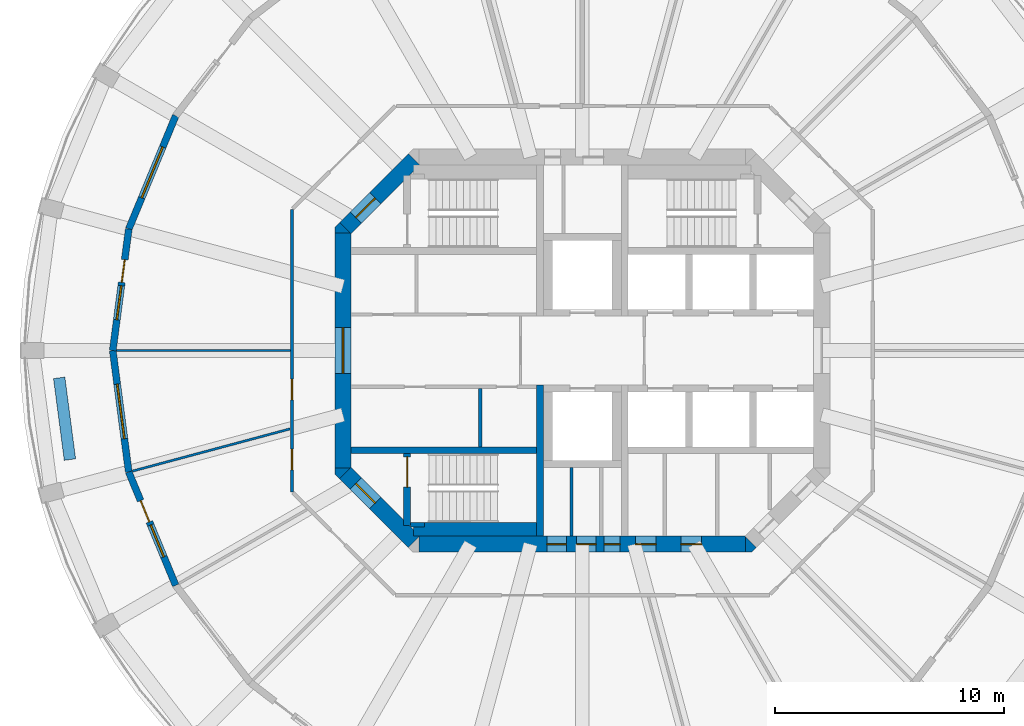
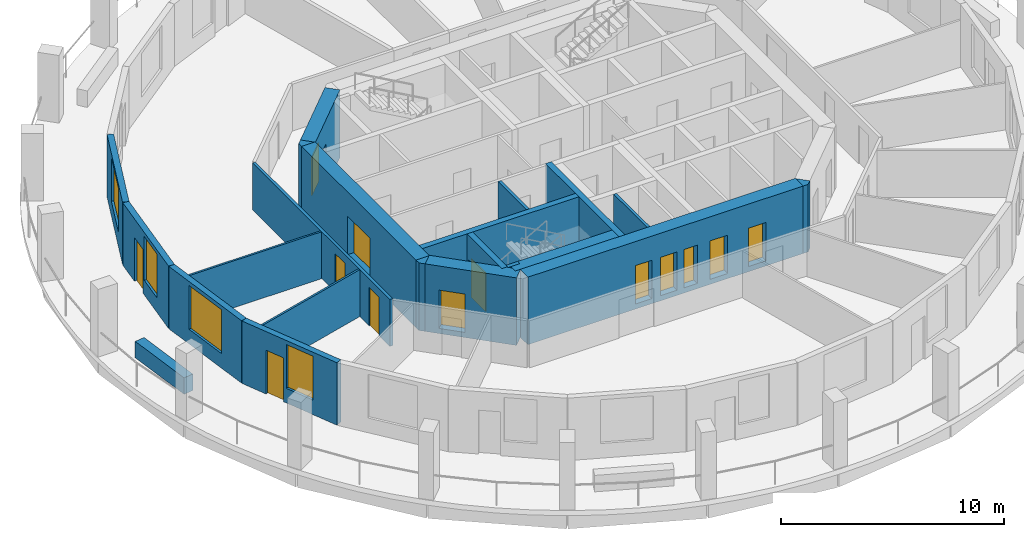
# One storey, part 3 of 9: 22 walls, 13 doors, 4 windows, 17 openings.
"""IFC4 building model written with IfcOpenShell, lengths in metres."""

from ifc_helpers import new_model, si_unit, direction, frame, frame_2d, origin, place, context, subcontext, project, spatial, polyline, rectangle, outline, extrude, material, layer, layer_set, type_object, element, fill, save


model = new_model("IFC4")

# Units and contexts
model_context = context("Model", 3, precision=1e-05, world=origin(), true_north=direction((0.0, 1.0)))
body_context = subcontext(model_context, "Body", "Model", "MODEL_VIEW")
ifc_project = project(units=[si_unit("LENGTHUNIT", "METRE"), si_unit("AREAUNIT", "SQUARE_METRE"), si_unit("VOLUMEUNIT", "CUBIC_METRE"), si_unit("PLANEANGLEUNIT", "RADIAN"), si_unit("MASSUNIT", "GRAM", prefix="KILO")], contexts=[model_context])

# Site, building, storey
site_placement = place(None, origin())
site = spatial("IfcSite", under=ifc_project, at=site_placement, CompositionType="ELEMENT")
building_placement = place(site_placement, origin())
building = spatial("IfcBuilding", under=site, at=building_placement, Name="Torre Triforio", CompositionType="ELEMENT")
storey_placement = place(building_placement, frame((0.0, 0.0, 226.10009765625)))
storey = spatial("IfcBuildingStorey", under=building, at=storey_placement, Name="L51", CompositionType="ELEMENT", Elevation=226.10009765625)

# Wall
ifc_material_1 = material(Name="Concrete C50", Category="concrete")
ifc_layer_1 = layer(ifc_material_1, 0.300048828125)
ifc_layer_set_1 = layer_set([ifc_layer_1], Name="Concrete C50")
wall_type_1 = type_object("IfcWallType", Name="Core wall 300 mm C50 EI 120", PredefinedType="SHEAR", material=ifc_layer_set_1)
wall_1_placement = place(storey_placement, frame((-1.85009765625, -8.10009765625, 0.0), z_axis=(0.0, 0.0, 1.0), x_axis=(0.0, 1.0, 0.0)))
element("IfcWall", 1, at=wall_1_placement, inside=storey, type_object=wall_type_1, Name="Core wall", PredefinedType="SHEAR", context=body_context, shape_type="SweptSolid", body=[
    extrude(rectangle(XDim=6.60009765625, YDim=0.300048828125, at=frame_2d((3.300048828125, 0.0))), origin(), (0.0, 0.0, 1.0), 3.419921875),
])

# Wall, openings, doors
ifc_layer_2 = layer(ifc_material_1, 0.699951171875)
ifc_layer_set_2 = layer_set([ifc_layer_2], Name="Concrete C50")
wall_type_2 = type_object("IfcWallType", Name="Core wall 700 mm C50 EI 120", PredefinedType="SHEAR", material=ifc_layer_set_2)
wall_2_placement = place(storey_placement, frame((-7.1298828125, -8.449951171875, -0.280029296875), z_axis=(0.0, 0.0, 1.0), x_axis=(1.0, 0.0, 0.0)))
wall_2 = element("IfcWall", 2, at=wall_2_placement, inside=storey, type_object=wall_type_2, Name="Core wall", PredefinedType="SHEAR", context=body_context, shape_type="SweptSolid", body=[
    extrude(rectangle(XDim=14.259765625, YDim=0.699951171875, at=frame_2d((7.1298828125, 0.0))), origin(), (0.0, 0.0, 1.0), 3.699951171875),
])
opening_1_placement = place(wall_2_placement, frame((8.080078125, 0.0, 0.280029296875)))
opening_1 = element("IfcOpeningElement", 3, at=opening_1_placement, cuts=wall_2, Name="Opening RISER-S", PredefinedType="OPENING", context=body_context, shape_type="SweptSolid", body=[
    extrude(rectangle(XDim=0.699951171875, YDim=2.10009765625, at=frame_2d((0.35009765625, 1.050048828125))), frame((0.0, 0.35986328125, 0.0), z_axis=(0.0, -1.0, 0.0), x_axis=(1.0, 0.0, 0.0)), (0.0, 0.0, 1.0), 0.719970703125),
])
opening_2_placement = place(wall_2_placement, frame((5.580078125, 0.0, 0.280029296875)))
opening_2 = element("IfcOpeningElement", 4, at=opening_2_placement, cuts=wall_2, Name="Opening SW-01A", PredefinedType="OPENING", context=body_context, shape_type="SweptSolid", body=[
    extrude(rectangle(XDim=0.85009765625, YDim=2.10009765625, at=frame_2d((0.425048828125, 1.050048828125))), frame((0.0, 0.35986328125, 0.0), z_axis=(0.0, -1.0, 0.0), x_axis=(1.0, 0.0, 0.0)), (0.0, 0.0, 1.0), 0.719970703125),
])
opening_3_placement = place(wall_2_placement, frame((6.8798828125, 0.0, 0.280029296875)))
opening_3 = element("IfcOpeningElement", 5, at=opening_3_placement, cuts=wall_2, Name="Opening SW-02", PredefinedType="OPENING", context=body_context, shape_type="SweptSolid", body=[
    extrude(rectangle(XDim=0.85009765625, YDim=2.10009765625, at=frame_2d((0.425048828125, 1.050048828125))), frame((0.0, 0.35986328125, 0.0), z_axis=(0.0, -1.0, 0.0), x_axis=(1.0, 0.0, 0.0)), (0.0, 0.0, 1.0), 0.719970703125),
])
opening_4_placement = place(wall_2_placement, frame((9.445068359375, 0.0, 0.280029296875)))
opening_4 = element("IfcOpeningElement", 6, at=opening_4_placement, cuts=wall_2, Name="Opening SE-01A", PredefinedType="OPENING", context=body_context, shape_type="SweptSolid", body=[
    extrude(rectangle(XDim=0.89990234375, YDim=2.10009765625, at=frame_2d((0.449951171875, 1.050048828125))), frame((0.0, 0.35986328125, 0.0), z_axis=(0.0, -1.0, 0.0), x_axis=(1.0, 0.0, 0.0)), (0.0, 0.0, 1.0), 0.719970703125),
])
opening_5_placement = place(wall_2_placement, frame((11.430908203125, 0.0, 0.280029296875)))
opening_5 = element("IfcOpeningElement", 7, at=opening_5_placement, cuts=wall_2, Name="Opening SE-02", PredefinedType="OPENING", context=body_context, shape_type="SweptSolid", body=[
    extrude(rectangle(XDim=0.89990234375, YDim=2.10009765625, at=frame_2d((0.449951171875, 1.050048828125))), frame((0.0, 0.35986328125, 0.0), z_axis=(0.0, -1.0, 0.0), x_axis=(1.0, 0.0, 0.0)), (0.0, 0.0, 1.0), 0.719970703125),
])
ifc_material_2 = material(Name="Hollow metal fire door leaf")
door_type_1 = type_object("IfcDoorType", Name="Riser door 700 x 2100 EI 60", OperationType="NOTDEFINED", PredefinedType="DOOR", material=ifc_material_2)
door_1_placement = place(opening_1_placement, origin())
door_1 = element("IfcDoor", 8, at=door_1_placement, inside=storey, type_object=door_type_1, Name="Core door RISER-S", OperationType="SINGLE_SWING_RIGHT", OverallHeight=2.10009765625, OverallWidth=0.699951171875, PredefinedType="DOOR", context=body_context, shape_type="SweptSolid", body=[
    extrude(rectangle(XDim=0.699951171875, YDim=2.10009765625, at=frame_2d((0.35009765625, 1.050048828125))), frame((0.0, 0.02490234375, 0.0), z_axis=(0.0, -1.0, 0.0), x_axis=(1.0, 0.0, 0.0)), (0.0, 0.0, 1.0), 0.050048828125),
])
fill(opening_1, door_1)
door_type_2 = type_object("IfcDoorType", Name="Room door 850 x 2100 EI 60", OperationType="NOTDEFINED", PredefinedType="DOOR", material=ifc_material_2)
door_2_placement = place(opening_2_placement, origin())
door_2 = element("IfcDoor", 9, at=door_2_placement, inside=storey, type_object=door_type_2, Name="Core door SW-01", OperationType="SINGLE_SWING_RIGHT", OverallHeight=2.10009765625, OverallWidth=0.85009765625, PredefinedType="DOOR", context=body_context, shape_type="SweptSolid", body=[
    extrude(rectangle(XDim=0.85009765625, YDim=2.10009765625, at=frame_2d((0.425048828125, 1.050048828125))), frame((0.0, 0.02490234375, 0.0), z_axis=(0.0, -1.0, 0.0), x_axis=(1.0, 0.0, 0.0)), (0.0, 0.0, 1.0), 0.050048828125),
])
fill(opening_2, door_2)
door_3_placement = place(opening_3_placement, origin())
door_3 = element("IfcDoor", 10, at=door_3_placement, inside=storey, type_object=door_type_2, Name="Core door SW-02", OperationType="SINGLE_SWING_LEFT", OverallHeight=2.10009765625, OverallWidth=0.85009765625, PredefinedType="DOOR", context=body_context, shape_type="SweptSolid", body=[
    extrude(rectangle(XDim=0.85009765625, YDim=2.10009765625, at=frame_2d((0.425048828125, 1.050048828125))), frame((0.0, 0.02490234375, 0.0), z_axis=(0.0, -1.0, 0.0), x_axis=(1.0, 0.0, 0.0)), (0.0, 0.0, 1.0), 0.050048828125),
])
fill(opening_3, door_3)
door_type_3 = type_object("IfcDoorType", Name="Room door 900 x 2100 EI 60", OperationType="NOTDEFINED", PredefinedType="DOOR", material=ifc_material_2)
door_4_placement = place(opening_4_placement, origin())
door_4 = element("IfcDoor", 11, at=door_4_placement, inside=storey, type_object=door_type_3, Name="Core door SE-01", OperationType="SINGLE_SWING_RIGHT", OverallHeight=2.10009765625, OverallWidth=0.89990234375, PredefinedType="DOOR", context=body_context, shape_type="SweptSolid", body=[
    extrude(rectangle(XDim=0.89990234375, YDim=2.10009765625, at=frame_2d((0.449951171875, 1.050048828125))), frame((0.0, 0.02490234375, 0.0), z_axis=(0.0, -1.0, 0.0), x_axis=(1.0, 0.0, 0.0)), (0.0, 0.0, 1.0), 0.050048828125),
])
fill(opening_4, door_4)
door_5_placement = place(opening_5_placement, origin())
door_5 = element("IfcDoor", 12, at=door_5_placement, inside=storey, type_object=door_type_3, Name="Core door SE-02", OperationType="SINGLE_SWING_LEFT", OverallHeight=2.10009765625, OverallWidth=0.89990234375, PredefinedType="DOOR", context=body_context, shape_type="SweptSolid", body=[
    extrude(rectangle(XDim=0.89990234375, YDim=2.10009765625, at=frame_2d((0.449951171875, 1.050048828125))), frame((0.0, 0.02490234375, 0.0), z_axis=(0.0, -1.0, 0.0), x_axis=(1.0, 0.0, 0.0)), (0.0, 0.0, 1.0), 0.050048828125),
])
fill(opening_5, door_5)

# Wall, opening, door
wall_3_placement = place(storey_placement, frame((-10.449951171875, -5.1298828125, -0.280029296875), z_axis=(0.0, 0.0, 1.0), x_axis=(0.0, 1.0, 0.0)))
wall_3 = element("IfcWall", 13, at=wall_3_placement, inside=storey, type_object=wall_type_2, Name="Core wall", PredefinedType="SHEAR", context=body_context, shape_type="SweptSolid", body=[
    extrude(rectangle(XDim=10.259765625, YDim=0.699951171875, at=frame_2d((5.1298828125, 0.0))), origin(), (0.0, 0.0, 1.0), 3.699951171875),
])
opening_6_placement = place(wall_3_placement, frame((4.1298828125, 0.0, 0.280029296875)))
opening_6 = element("IfcOpeningElement", 14, at=opening_6_placement, cuts=wall_3, Name="Opening W-RING", PredefinedType="OPENING", context=body_context, shape_type="SweptSolid", body=[
    extrude(rectangle(XDim=2.0, YDim=2.10009765625, at=frame_2d((1.0, 1.050048828125))), frame((0.0, 0.35986328125, 0.0), z_axis=(0.0, -1.0, 0.0), x_axis=(1.0, 0.0, 0.0)), (0.0, 0.0, 1.0), 0.719970703125),
])
door_type_4 = type_object("IfcDoorType", Name="Lobby door 2000 x 2100 EI 60", OperationType="DOUBLE_DOOR_SINGLE_SWING", PredefinedType="DOOR", material=ifc_material_2)
door_6_placement = place(opening_6_placement, origin())
door_6 = element("IfcDoor", 15, at=door_6_placement, inside=storey, type_object=door_type_4, Name="Core door W-RING", OperationType="DOUBLE_DOOR_SINGLE_SWING", OverallHeight=2.10009765625, OverallWidth=2.0, PredefinedType="DOOR", context=body_context, shape_type="SweptSolid", body=[
    extrude(rectangle(XDim=2.0, YDim=2.10009765625, at=frame_2d((1.0, 1.050048828125))), frame((0.0, 0.02490234375, 0.0), z_axis=(0.0, -1.0, 0.0), x_axis=(1.0, 0.0, 0.0)), (0.0, 0.0, 1.0), 0.050048828125),
])
fill(opening_6, door_6)

wall_4_placement = place(storey_placement, frame((-10.347412109375, 5.347412109375, -0.280029296875), z_axis=(0.0, 0.0, 1.0), x_axis=(0.707106781187, 0.707106781187, 0.0)))
wall_4 = element("IfcWall", 16, at=wall_4_placement, inside=storey, type_object=wall_type_2, Name="Core wall", PredefinedType="SHEAR", context=body_context, shape_type="SweptSolid", body=[
    extrude(rectangle(XDim=4.24267578125, YDim=0.699951171875, at=frame_2d((2.121337890625, 0.0))), origin(), (0.0, 0.0, 1.0), 3.699951171875),
])
opening_7_placement = place(wall_4_placement, frame((0.64990234375, 0.0, 0.280029296875)))
opening_7 = element("IfcOpeningElement", 17, at=opening_7_placement, cuts=wall_4, Name="Opening ST1-EXIT", PredefinedType="OPENING", context=body_context, shape_type="SweptSolid", body=[
    extrude(rectangle(XDim=1.199951171875, YDim=2.10009765625, at=frame_2d((0.60009765625, 1.050048828125))), frame((0.0, 0.35986328125, 0.0), z_axis=(0.0, -1.0, 0.0), x_axis=(1.0, 0.0, 0.0)), (0.0, 0.0, 1.0), 0.719970703125),
])
door_type_5 = type_object("IfcDoorType", Name="Stair lobby door 1200 x 2100 EI 60", OperationType="NOTDEFINED", PredefinedType="DOOR", material=ifc_material_2)
door_7_placement = place(opening_7_placement, origin())
door_7 = element("IfcDoor", 18, at=door_7_placement, inside=storey, type_object=door_type_5, Name="Core door ST1-EXIT", OperationType="SINGLE_SWING_RIGHT", OverallHeight=2.10009765625, OverallWidth=1.199951171875, PredefinedType="DOOR", context=body_context, shape_type="SweptSolid", body=[
    extrude(rectangle(XDim=1.199951171875, YDim=2.10009765625, at=frame_2d((0.60009765625, 1.050048828125))), frame((0.0, 0.02490234375, 0.0), z_axis=(0.0, -1.0, 0.0), x_axis=(1.0, 0.0, 0.0)), (0.0, 0.0, 1.0), 0.050048828125),
])
fill(opening_7, door_7)

wall_5_placement = place(storey_placement, frame((-7.347412109375, -8.347412109375, -0.280029296875), z_axis=(0.0, 0.0, 1.0), x_axis=(-0.707106781187, 0.707106781187, 0.0)))
wall_5 = element("IfcWall", 19, at=wall_5_placement, inside=storey, type_object=wall_type_2, Name="Core wall", PredefinedType="SHEAR", context=body_context, shape_type="SweptSolid", body=[
    extrude(rectangle(XDim=4.24267578125, YDim=0.699951171875, at=frame_2d((2.121337890625, 0.0))), origin(), (0.0, 0.0, 1.0), 3.699951171875),
])
opening_8_placement = place(wall_5_placement, frame((2.392578125, 0.0, 0.280029296875)))
opening_8 = element("IfcOpeningElement", 20, at=opening_8_placement, cuts=wall_5, Name="Opening ST3-EXIT", PredefinedType="OPENING", context=body_context, shape_type="SweptSolid", body=[
    extrude(rectangle(XDim=1.199951171875, YDim=2.10009765625, at=frame_2d((0.60009765625, 1.050048828125))), frame((0.0, 0.35986328125, 0.0), z_axis=(0.0, -1.0, 0.0), x_axis=(1.0, 0.0, 0.0)), (0.0, 0.0, 1.0), 0.719970703125),
])
door_8_placement = place(opening_8_placement, origin())
door_8 = element("IfcDoor", 21, at=door_8_placement, inside=storey, type_object=door_type_5, Name="Core door ST3-EXIT", OperationType="SINGLE_SWING_RIGHT", OverallHeight=2.10009765625, OverallWidth=1.199951171875, PredefinedType="DOOR", context=body_context, shape_type="SweptSolid", body=[
    extrude(rectangle(XDim=1.199951171875, YDim=2.10009765625, at=frame_2d((0.60009765625, 1.050048828125))), frame((0.0, 0.02490234375, 0.0), z_axis=(0.0, -1.0, 0.0), x_axis=(1.0, 0.0, 0.0)), (0.0, 0.0, 1.0), 0.050048828125),
])
fill(opening_8, door_8)

# Walls
wall_6_placement = place(storey_placement, frame((0.0, 0.0, -0.280029296875)))
element("IfcWall", 22, at=wall_6_placement, inside=storey, type_object=wall_type_2, Name="Core wall", PredefinedType="SHEAR", context=body_context, shape_type="SweptSolid", body=[
    extrude(outline(polyline([(7.389892578125, -8.800048828125), (7.1298828125, -8.800048828125), (7.1298828125, -8.800048828125), (7.1298828125, -8.1298828125), (7.594970703125, -8.594970703125), (7.594970703125, -8.594970703125), (7.594970703125, -8.594970703125), (7.389892578125, -8.800048828125)])), origin(), (0.0, 0.0, 1.0), 3.699951171875),
])
wall_7_placement = place(storey_placement, frame((0.0, 0.0, -0.280029296875)))
element("IfcWall", 23, at=wall_7_placement, inside=storey, type_object=wall_type_2, Name="Core wall", PredefinedType="SHEAR", context=body_context, shape_type="SweptSolid", body=[
    extrude(outline(polyline([(-10.800048828125, -5.389892578125), (-10.800048828125, -5.1298828125), (-10.800048828125, -5.1298828125), (-10.1298828125, -5.1298828125), (-10.594970703125, -5.594970703125), (-10.594970703125, -5.594970703125), (-10.594970703125, -5.594970703125), (-10.800048828125, -5.389892578125)])), origin(), (0.0, 0.0, 1.0), 3.699951171875),
])
wall_8_placement = place(storey_placement, frame((0.0, 0.0, -0.280029296875)))
element("IfcWall", 24, at=wall_8_placement, inside=storey, type_object=wall_type_2, Name="Core wall", PredefinedType="SHEAR", context=body_context, shape_type="SweptSolid", body=[
    extrude(outline(polyline([(-10.594970703125, 5.594970703125), (-10.594970703125, 5.594970703125), (-10.594970703125, 5.594970703125), (-10.1298828125, 5.1298828125), (-10.800048828125, 5.1298828125), (-10.800048828125, 5.1298828125), (-10.800048828125, 5.389892578125), (-10.594970703125, 5.594970703125)])), origin(), (0.0, 0.0, 1.0), 3.699951171875),
])

# Wall, openings, doors
ifc_material_3 = material(Name="Plasterboard on metal studs")
ifc_layer_3 = layer(ifc_material_3, 0.14990234375)
ifc_layer_set_3 = layer_set([ifc_layer_3], Name="Plasterboard on metal studs")
wall_type_3 = type_object("IfcWallType", Name="Corridor and tenancy wall 150 mm EI 60", PredefinedType="PARTITIONING", material=ifc_layer_set_3)
wall_9_placement = place(storey_placement, frame((-12.675048828125, -6.16650390625, 0.0), z_axis=(0.0, 0.0, 1.0), x_axis=(0.0, 1.0, 0.0)))
wall_9 = element("IfcWall", 25, at=wall_9_placement, inside=storey, type_object=wall_type_3, Name="Partition 4", PredefinedType="PARTITIONING", context=body_context, shape_type="SweptSolid", body=[
    extrude(rectangle(XDim=12.3330078125, YDim=0.14990234375, at=frame_2d((6.16650390625, 0.0))), origin(), (0.0, 0.0, 1.0), 2.56982421875),
])
opening_9_placement = place(wall_9_placement, frame((4.017578125, 0.0, 0.0)))
opening_9 = element("IfcOpeningElement", 26, at=opening_9_placement, cuts=wall_9, Name="Opening O7-02", PredefinedType="OPENING", context=body_context, shape_type="SweptSolid", body=[
    extrude(rectangle(XDim=0.89990234375, YDim=2.10009765625, at=frame_2d((0.449951171875, 1.050048828125))), frame((0.0, 0.0849609375, 0.0), z_axis=(0.0, -1.0, 0.0), x_axis=(1.0, 0.0, 0.0)), (0.0, 0.0, 1.0), 0.169921875),
])
opening_10_placement = place(wall_9_placement, frame((0.960205078125, 0.0, 0.0)))
opening_10 = element("IfcOpeningElement", 27, at=opening_10_placement, cuts=wall_9, Name="Opening O7-03", PredefinedType="OPENING", context=body_context, shape_type="SweptSolid", body=[
    extrude(rectangle(XDim=0.89990234375, YDim=2.10009765625, at=frame_2d((0.449951171875, 1.050048828125))), frame((0.0, 0.0849609375, 0.0), z_axis=(0.0, -1.0, 0.0), x_axis=(1.0, 0.0, 0.0)), (0.0, 0.0, 1.0), 0.169921875),
])
ifc_material_4 = material(Name="Timber", Category="wood")
door_type_6 = type_object("IfcDoorType", Name="Door 900 x 2100 single leaf EI 30", OperationType="NOTDEFINED", PredefinedType="DOOR", material=ifc_material_4)
door_9_placement = place(opening_9_placement, origin())
door_9 = element("IfcDoor", 28, at=door_9_placement, inside=storey, type_object=door_type_6, Name="Door O7-02", OperationType="SINGLE_SWING_LEFT", OverallHeight=2.10009765625, OverallWidth=0.89990234375, PredefinedType="DOOR", context=body_context, shape_type="SweptSolid", body=[
    extrude(rectangle(XDim=0.89990234375, YDim=2.10009765625, at=frame_2d((0.449951171875, 1.050048828125))), frame((0.0, 0.02490234375, 0.0), z_axis=(0.0, -1.0, 0.0), x_axis=(1.0, 0.0, 0.0)), (0.0, 0.0, 1.0), 0.050048828125),
])
fill(opening_9, door_9)
door_10_placement = place(opening_10_placement, origin())
door_10 = element("IfcDoor", 29, at=door_10_placement, inside=storey, type_object=door_type_6, Name="Door O7-03", OperationType="SINGLE_SWING_LEFT", OverallHeight=2.10009765625, OverallWidth=0.89990234375, PredefinedType="DOOR", context=body_context, shape_type="SweptSolid", body=[
    extrude(rectangle(XDim=0.89990234375, YDim=2.10009765625, at=frame_2d((0.449951171875, 1.050048828125))), frame((0.0, 0.02490234375, 0.0), z_axis=(0.0, -1.0, 0.0), x_axis=(1.0, 0.0, 0.0)), (0.0, 0.0, 1.0), 0.050048828125),
])
fill(opening_10, door_10)

# Walls
ifc_layer_4 = layer(ifc_material_3, 0.10009765625)
ifc_layer_set_4 = layer_set([ifc_layer_4], Name="Plasterboard on metal studs")
wall_type_4 = type_object("IfcWallType", Name="Partition 100 mm board on metal studs", PredefinedType="PARTITIONING", material=ifc_layer_set_4)
wall_10_placement = place(storey_placement, frame((-12.75, 0.0, 0.0), z_axis=(0.0, 0.0, 1.0), x_axis=(-1.0, 0.0, 0.0)))
element("IfcWall", 30, at=wall_10_placement, inside=storey, type_object=wall_type_4, Name="Partition 18", PredefinedType="PARTITIONING", context=body_context, shape_type="SweptSolid", body=[
    extrude(rectangle(XDim=7.586669921875, YDim=0.10009765625, at=frame_2d((3.79345703125, 0.0))), origin(), (0.0, 0.0, 1.0), 2.56982421875),
])
wall_11_placement = place(storey_placement, frame((-12.764404296875, -3.420166015625, 0.0), z_axis=(0.0, 0.0, 1.0), x_axis=(-0.965928160208, -0.258810334643, 0.0)))
element("IfcWall", 31, at=wall_11_placement, inside=storey, type_object=wall_type_4, Name="Partition 19", PredefinedType="PARTITIONING", context=body_context, shape_type="SweptSolid", body=[
    extrude(rectangle(XDim=7.1220703125, YDim=0.10009765625, at=frame_2d((3.56103515625, 0.0))), origin(), (0.0, 0.0, 1.0), 2.56982421875),
])
ifc_material_5 = material(Name="Block and board partition")
ifc_layer_5 = layer(ifc_material_5, 0.14990234375)
ifc_layer_set_5 = layer_set([ifc_layer_5], Name="Block and board partition")
wall_type_5 = type_object("IfcWallType", Name="Partition 150 mm", PredefinedType="PARTITIONING", material=ifc_layer_set_5)
wall_12_placement = place(storey_placement, frame((-0.47509765625, -8.10009765625, 0.0), z_axis=(0.0, 0.0, 1.0), x_axis=(0.0, 1.0, 0.0)))
element("IfcWall", 32, at=wall_12_placement, inside=storey, type_object=wall_type_5, Name="Partition", PredefinedType="PARTITIONING", context=body_context, shape_type="SweptSolid", body=[
    extrude(rectangle(XDim=3.0, YDim=0.14990234375, at=frame_2d((1.5, 0.0))), origin(), (0.0, 0.0, 1.0), 3.419921875),
])
wall_13_placement = place(storey_placement, frame((-4.4599609375, -4.199951171875, 0.0), z_axis=(0.0, 0.0, 1.0), x_axis=(0.0, 1.0, 0.0)))
element("IfcWall", 33, at=wall_13_placement, inside=storey, type_object=wall_type_5, Name="Partition", PredefinedType="PARTITIONING", context=body_context, shape_type="SweptSolid", body=[
    extrude(rectangle(XDim=2.550048828125, YDim=0.14990234375, at=frame_2d((1.27490234375, 0.0))), origin(), (0.0, 0.0, 1.0), 3.419921875),
])
ifc_material_6 = material(Name="Limestone cladding", Category="masonry")
ifc_layer_6 = layer(ifc_material_6, 0.10009765625)
ifc_material_7 = material(Name="Concrete C40", Category="concrete")
ifc_layer_7 = layer(ifc_material_7, 0.39990234375)
ifc_layer_set_6 = layer_set([ifc_layer_6, ifc_layer_7], Name="Limestone cladding / Concrete C40")
wall_type_6 = type_object("IfcWallType", Name="Planter wall 500", PredefinedType="PARAPET", material=ifc_layer_set_6)
wall_14_placement = place(storey_placement, frame((-22.83984375, -1.19140625, 0.0), z_axis=(0.0, 0.0, 1.0), x_axis=(0.130484336385, -0.9914503709, 0.0)))
element("IfcWall", 34, at=wall_14_placement, inside=storey, type_object=wall_type_6, Name="Planter L51 bay 13", PredefinedType="PARAPET", context=body_context, shape_type="SweptSolid", body=[
    extrude(rectangle(XDim=3.599853515625, YDim=0.5, at=frame_2d((1.7998046875, 0.0))), origin(), (0.0, 0.0, 1.0), 0.89990234375),
])
ifc_layer_8 = layer(ifc_material_1, 0.300048828125)
ifc_layer_set_7 = layer_set([ifc_layer_8], Name="Concrete C50")
wall_type_7 = type_object("IfcWallType", Name="Shaft wall 300 mm C50 EI 120", PredefinedType="SOLIDWALL", material=ifc_layer_set_7)
wall_15_placement = place(storey_placement, frame((-10.10009765625, -4.35009765625, 0.0), z_axis=(0.0, 0.0, 1.0), x_axis=(1.0, 0.0, 0.0)))
element("IfcWall", 35, at=wall_15_placement, inside=storey, type_object=wall_type_7, Name="Shaft wall", PredefinedType="SOLIDWALL", context=body_context, shape_type="SweptSolid", body=[
    extrude(rectangle(XDim=8.10009765625, YDim=0.300048828125, at=frame_2d((4.050048828125, 0.0))), origin(), (0.0, 0.0, 1.0), 3.419921875),
])
ifc_layer_9 = layer(ifc_material_1, 0.199951171875)
ifc_layer_set_8 = layer_set([ifc_layer_9], Name="Concrete C50")
wall_type_8 = type_object("IfcWallType", Name="Stair wall 200 mm C50 EI 120", PredefinedType="SHEAR", material=ifc_layer_set_8)
wall_16_placement = place(storey_placement, frame((-7.5, -7.60009765625, 0.0), z_axis=(0.0, 0.0, 1.0), x_axis=(1.0, 0.0, 0.0)))
element("IfcWall", 36, at=wall_16_placement, inside=storey, type_object=wall_type_8, Name="Stair wall", PredefinedType="SHEAR", context=body_context, shape_type="SweptSolid", body=[
    extrude(rectangle(XDim=0.60009765625, YDim=0.199951171875, at=frame_2d((0.300048828125, 0.0))), origin(), (0.0, 0.0, 1.0), 3.419921875),
])

# Wall, opening, door
ifc_layer_10 = layer(ifc_material_1, 0.300048828125)
ifc_layer_set_9 = layer_set([ifc_layer_10], Name="Concrete C50")
wall_type_9 = type_object("IfcWallType", Name="Stair wall 300 mm C50 EI 120", PredefinedType="SHEAR", material=ifc_layer_set_9)
wall_17_placement = place(storey_placement, frame((-7.64990234375, -7.639892578125, 0.0), z_axis=(0.0, 0.0, 1.0), x_axis=(0.0, 1.0, 0.0)))
wall_17 = element("IfcWall", 37, at=wall_17_placement, inside=storey, type_object=wall_type_9, Name="Stair wall", PredefinedType="SHEAR", context=body_context, shape_type="SweptSolid", body=[
    extrude(rectangle(XDim=3.139892578125, YDim=0.300048828125, at=frame_2d((1.56982421875, 0.0))), origin(), (0.0, 0.0, 1.0), 3.419921875),
])
opening_11_placement = place(wall_17_placement, frame((1.679931640625, 0.0, 0.0)))
opening_11 = element("IfcOpeningElement", 38, at=opening_11_placement, cuts=wall_17, Name="Opening ST3-STA", PredefinedType="OPENING", context=body_context, shape_type="SweptSolid", body=[
    extrude(rectangle(XDim=1.320068359375, YDim=2.10009765625, at=frame_2d((0.66015625, 1.050048828125))), frame((0.0, 0.159912109375, 0.0), z_axis=(0.0, -1.0, 0.0), x_axis=(1.0, 0.0, 0.0)), (0.0, 0.0, 1.0), 0.320068359375),
])
door_type_7 = type_object("IfcDoorType", Name="Stair door 1320 x 2100 EI 90", OperationType="DOUBLE_DOOR_SINGLE_SWING", PredefinedType="DOOR", material=ifc_material_2)
door_11_placement = place(opening_11_placement, origin())
door_11 = element("IfcDoor", 39, at=door_11_placement, inside=storey, type_object=door_type_7, Name="Core door ST3-ST", OperationType="DOUBLE_DOOR_SINGLE_SWING", OverallHeight=2.10009765625, OverallWidth=1.320068359375, PredefinedType="DOOR", context=body_context, shape_type="SweptSolid", body=[
    extrude(rectangle(XDim=1.320068359375, YDim=2.10009765625, at=frame_2d((0.66015625, 1.050048828125))), frame((0.0, 0.02490234375, 0.0), z_axis=(0.0, -1.0, 0.0), x_axis=(1.0, 0.0, 0.0)), (0.0, 0.0, 1.0), 0.050048828125),
])
fill(opening_11, door_11)

# Wall
ifc_layer_11 = layer(ifc_material_1, 0.60009765625)
ifc_layer_set_10 = layer_set([ifc_layer_11], Name="Concrete C50")
wall_type_10 = type_object("IfcWallType", Name="Stair wall 600 mm C50 EI 120", PredefinedType="SHEAR", material=ifc_layer_set_10)
wall_18_placement = place(storey_placement, frame((-7.3701171875, -7.800048828125, 0.0), z_axis=(0.0, 0.0, 1.0), x_axis=(1.0, 0.0, 0.0)))
element("IfcWall", 40, at=wall_18_placement, inside=storey, type_object=wall_type_10, Name="Stair wall", PredefinedType="SHEAR", context=body_context, shape_type="SweptSolid", body=[
    extrude(rectangle(XDim=5.3701171875, YDim=0.60009765625, at=frame_2d((2.68505859375, 0.0))), origin(), (0.0, 0.0, 1.0), 3.419921875),
])

# Wall, opening, window
ifc_layer_12 = layer(ifc_material_6, 0.10009765625)
ifc_layer_13 = layer(ifc_material_7, 0.199951171875)
ifc_layer_set_11 = layer_set([ifc_layer_12, ifc_layer_13], Name="Limestone cladding / Concrete C40")
wall_type_11 = type_object("IfcWallType", Name="Stone-faced composite wall 300", PredefinedType="STANDARD", material=ifc_layer_set_11)
wall_19_placement = place(storey_placement, frame((-17.75341796875, 10.25, 0.0), z_axis=(0.0, 0.0, 1.0), x_axis=(-0.382713071139, -0.923867255172, 0.0)))
wall_19 = element("IfcWall", 41, at=wall_19_placement, inside=storey, type_object=wall_type_11, Name="External wall L51 bay 11", PredefinedType="STANDARD", context=body_context, shape_type="SweptSolid", body=[
    extrude(rectangle(XDim=5.3515625, YDim=0.300048828125, at=frame_2d((2.67578125, 0.0))), origin(), (0.0, 0.0, 1.0), 3.419921875),
])
opening_12_placement = place(wall_19_placement, frame((1.475830078125, 0.0, 0.800048828125)))
opening_12 = element("IfcOpeningElement", 42, at=opening_12_placement, cuts=wall_19, Name="Opening O7-W11", PredefinedType="OPENING", context=body_context, shape_type="SweptSolid", body=[
    extrude(rectangle(XDim=2.39990234375, YDim=2.39990234375, at=frame_2d((1.199951171875, 1.199951171875))), frame((0.0, 0.159912109375, 0.0), z_axis=(0.0, -1.0, 0.0), x_axis=(1.0, 0.0, 0.0)), (0.0, 0.0, 1.0), 0.320068359375),
])
ifc_material_8 = material(Name="Aluminium frame with clear double glazing", Category="aluminium")
window_type_1 = type_object("IfcWindowType", Name="Punched window 2400 x 2400", PartitioningType="DOUBLE_PANEL_VERTICAL", PredefinedType="WINDOW", material=ifc_material_8)
window_1_placement = place(opening_12_placement, origin())
window_1 = element("IfcWindow", 43, at=window_1_placement, inside=storey, type_object=window_type_1, Name="Window EWN4 L51 bay 11", OverallHeight=2.39990234375, OverallWidth=2.39990234375, PartitioningType="SINGLE_PANEL", PredefinedType="WINDOW", context=body_context, shape_type="SweptSolid", body=[
    extrude(rectangle(XDim=2.39990234375, YDim=2.39990234375, at=frame_2d((1.199951171875, 1.199951171875))), frame((0.0, 0.030029296875, 0.0), z_axis=(0.0, -1.0, 0.0), x_axis=(1.0, 0.0, 0.0)), (0.0, 0.0, 1.0), 0.06005859375),
])
fill(opening_12, window_1)

# Wall, openings, door, window
wall_20_placement = place(storey_placement, frame((-19.801513671875, 5.305908203125, 0.0), z_axis=(0.0, 0.0, 1.0), x_axis=(-0.130517056518, -0.991446064069, 0.0)))
wall_20 = element("IfcWall", 44, at=wall_20_placement, inside=storey, type_object=wall_type_11, Name="External wall L51 bay 12", PredefinedType="STANDARD", context=body_context, shape_type="SweptSolid", body=[
    extrude(rectangle(XDim=5.351806640625, YDim=0.300048828125, at=frame_2d((2.67578125, 0.0))), origin(), (0.0, 0.0, 1.0), 3.419921875),
])
opening_13_placement = place(wall_20_placement, frame((1.350830078125, 0.0, 0.0)))
opening_13 = element("IfcOpeningElement", 45, at=opening_13_placement, cuts=wall_20, Name="Opening O7-D12", PredefinedType="OPENING", context=body_context, shape_type="SweptSolid", body=[
    extrude(rectangle(XDim=1.0, YDim=2.39990234375, at=frame_2d((0.5, 1.199951171875))), frame((0.0, 0.159912109375, 0.0), z_axis=(0.0, -1.0, 0.0), x_axis=(1.0, 0.0, 0.0)), (0.0, 0.0, 1.0), 0.320068359375),
])
opening_14_placement = place(wall_20_placement, frame((2.500732421875, 0.0, 0.800048828125)))
opening_14 = element("IfcOpeningElement", 46, at=opening_14_placement, cuts=wall_20, Name="Opening O7-W12A", PredefinedType="OPENING", context=body_context, shape_type="SweptSolid", body=[
    extrude(rectangle(XDim=1.5, YDim=2.39990234375, at=frame_2d((0.75, 1.199951171875))), frame((0.0, 0.159912109375, 0.0), z_axis=(0.0, -1.0, 0.0), x_axis=(1.0, 0.0, 0.0)), (0.0, 0.0, 1.0), 0.320068359375),
])
door_type_8 = type_object("IfcDoorType", Name="Loggia door 1000 x 2400", OperationType="NOTDEFINED", PredefinedType="DOOR", material=ifc_material_8)
door_12_placement = place(opening_13_placement, origin())
door_12 = element("IfcDoor", 47, at=door_12_placement, inside=storey, type_object=door_type_8, Name="Loggia door L51 bay 12", OperationType="SINGLE_SWING_LEFT", OverallHeight=2.39990234375, OverallWidth=1.0, PredefinedType="DOOR", context=body_context, shape_type="SweptSolid", body=[
    extrude(rectangle(XDim=1.0, YDim=2.39990234375, at=frame_2d((0.5, 1.199951171875))), frame((0.0, 0.02490234375, 0.0), z_axis=(0.0, -1.0, 0.0), x_axis=(1.0, 0.0, 0.0)), (0.0, 0.0, 1.0), 0.050048828125),
])
fill(opening_13, door_12)
window_type_2 = type_object("IfcWindowType", Name="Side window 1500 x 2400", PartitioningType="SINGLE_PANEL", PredefinedType="WINDOW", material=ifc_material_8)
window_2_placement = place(opening_14_placement, origin())
window_2 = element("IfcWindow", 48, at=window_2_placement, inside=storey, type_object=window_type_2, Name="Side window EWN14 L51 bay 12", OverallHeight=2.39990234375, OverallWidth=1.5, PartitioningType="SINGLE_PANEL", PredefinedType="WINDOW", context=body_context, shape_type="SweptSolid", body=[
    extrude(rectangle(XDim=1.5, YDim=2.39990234375, at=frame_2d((0.75, 1.199951171875))), frame((0.0, 0.030029296875, 0.0), z_axis=(0.0, -1.0, 0.0), x_axis=(1.0, 0.0, 0.0)), (0.0, 0.0, 1.0), 0.06005859375),
])
fill(opening_14, window_2)

# Wall, opening, window
wall_21_placement = place(storey_placement, frame((-20.5, 0.0, 0.0), z_axis=(0.0, 0.0, 1.0), x_axis=(0.130517056518, -0.991446064069, 0.0)))
wall_21 = element("IfcWall", 49, at=wall_21_placement, inside=storey, type_object=wall_type_11, Name="External wall L51 bay 13", PredefinedType="STANDARD", context=body_context, shape_type="SweptSolid", body=[
    extrude(rectangle(XDim=5.351806640625, YDim=0.300048828125, at=frame_2d((2.67578125, 0.0))), origin(), (0.0, 0.0, 1.0), 3.419921875),
])
opening_15_placement = place(wall_21_placement, frame((1.475830078125, 0.0, 0.800048828125)))
opening_15 = element("IfcOpeningElement", 50, at=opening_15_placement, cuts=wall_21, Name="Opening O7-W13", PredefinedType="OPENING", context=body_context, shape_type="SweptSolid", body=[
    extrude(rectangle(XDim=2.39990234375, YDim=2.39990234375, at=frame_2d((1.199951171875, 1.199951171875))), frame((0.0, 0.159912109375, 0.0), z_axis=(0.0, -1.0, 0.0), x_axis=(1.0, 0.0, 0.0)), (0.0, 0.0, 1.0), 0.320068359375),
])
window_3_placement = place(opening_15_placement, origin())
window_3 = element("IfcWindow", 51, at=window_3_placement, inside=storey, type_object=window_type_1, Name="Window EWN4 L51 bay 13", OverallHeight=2.39990234375, OverallWidth=2.39990234375, PartitioningType="SINGLE_PANEL", PredefinedType="WINDOW", context=body_context, shape_type="SweptSolid", body=[
    extrude(rectangle(XDim=2.39990234375, YDim=2.39990234375, at=frame_2d((1.199951171875, 1.199951171875))), frame((0.0, 0.030029296875, 0.0), z_axis=(0.0, -1.0, 0.0), x_axis=(1.0, 0.0, 0.0)), (0.0, 0.0, 1.0), 0.06005859375),
])
fill(opening_15, window_3)

# Wall, openings, door, window
wall_22_placement = place(storey_placement, frame((-19.801513671875, -5.305908203125, 0.0), z_axis=(0.0, 0.0, 1.0), x_axis=(0.382713071139, -0.923867255172, 0.0)))
wall_22 = element("IfcWall", 52, at=wall_22_placement, inside=storey, type_object=wall_type_11, Name="External wall L51 bay 14", PredefinedType="STANDARD", context=body_context, shape_type="SweptSolid", body=[
    extrude(rectangle(XDim=5.3515625, YDim=0.300048828125, at=frame_2d((2.67578125, 0.0))), origin(), (0.0, 0.0, 1.0), 3.419921875),
])
opening_16_placement = place(wall_22_placement, frame((1.350830078125, 0.0, 0.0)))
opening_16 = element("IfcOpeningElement", 53, at=opening_16_placement, cuts=wall_22, Name="Opening O7-D14", PredefinedType="OPENING", context=body_context, shape_type="SweptSolid", body=[
    extrude(rectangle(XDim=1.0, YDim=2.39990234375, at=frame_2d((0.5, 1.199951171875))), frame((0.0, 0.159912109375, 0.0), z_axis=(0.0, -1.0, 0.0), x_axis=(1.0, 0.0, 0.0)), (0.0, 0.0, 1.0), 0.320068359375),
])
opening_17_placement = place(wall_22_placement, frame((2.500732421875, 0.0, 0.800048828125)))
opening_17 = element("IfcOpeningElement", 54, at=opening_17_placement, cuts=wall_22, Name="Opening O7-W14A", PredefinedType="OPENING", context=body_context, shape_type="SweptSolid", body=[
    extrude(rectangle(XDim=1.5, YDim=2.39990234375, at=frame_2d((0.75, 1.199951171875))), frame((0.0, 0.159912109375, 0.0), z_axis=(0.0, -1.0, 0.0), x_axis=(1.0, 0.0, 0.0)), (0.0, 0.0, 1.0), 0.320068359375),
])
door_13_placement = place(opening_16_placement, origin())
door_13 = element("IfcDoor", 55, at=door_13_placement, inside=storey, type_object=door_type_8, Name="Loggia door L51 bay 14", OperationType="SINGLE_SWING_LEFT", OverallHeight=2.39990234375, OverallWidth=1.0, PredefinedType="DOOR", context=body_context, shape_type="SweptSolid", body=[
    extrude(rectangle(XDim=1.0, YDim=2.39990234375, at=frame_2d((0.5, 1.199951171875))), frame((0.0, 0.02490234375, 0.0), z_axis=(0.0, -1.0, 0.0), x_axis=(1.0, 0.0, 0.0)), (0.0, 0.0, 1.0), 0.050048828125),
])
fill(opening_16, door_13)
window_4_placement = place(opening_17_placement, origin())
window_4 = element("IfcWindow", 56, at=window_4_placement, inside=storey, type_object=window_type_2, Name="Side window EWN14 L51 bay 14", OverallHeight=2.39990234375, OverallWidth=1.5, PartitioningType="SINGLE_PANEL", PredefinedType="WINDOW", context=body_context, shape_type="SweptSolid", body=[
    extrude(rectangle(XDim=1.5, YDim=2.39990234375, at=frame_2d((0.75, 1.199951171875))), frame((0.0, 0.030029296875, 0.0), z_axis=(0.0, -1.0, 0.0), x_axis=(1.0, 0.0, 0.0)), (0.0, 0.0, 1.0), 0.06005859375),
])
fill(opening_17, window_4)

save(model, "model.ifc")
